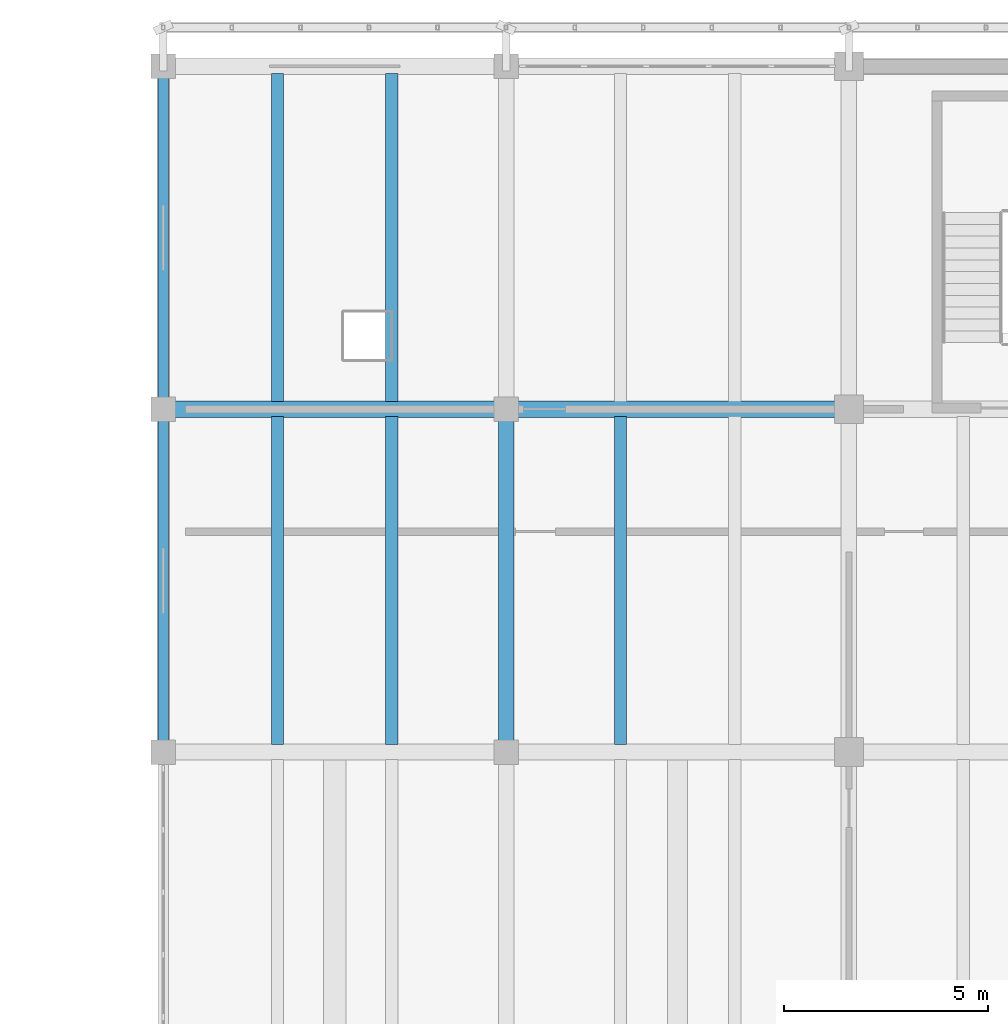
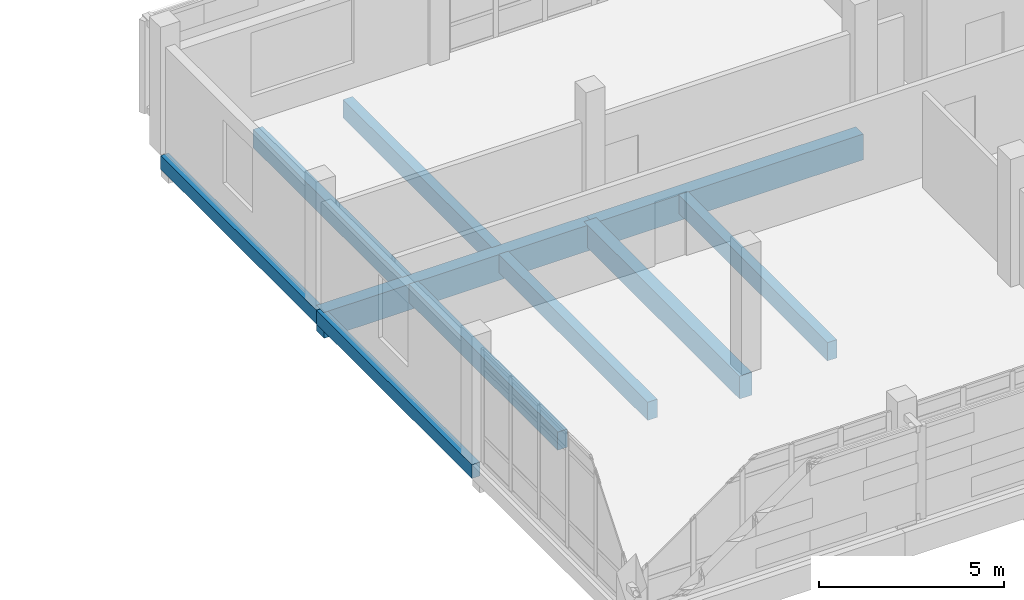
# One storey, part 48 of 137: 10 beams.
"""IFC4 building model written with IfcOpenShell, lengths in metres."""

from ifc_helpers import new_model, si_unit, direction, frame, origin, origin_2d, place, context, subcontext, project, spatial, rectangle, extrude, material, material_profile, profile_set, type_object, element, save


model = new_model("IFC4")

# Units and contexts
model_context = context("Model", 3, precision=1e-05, world=origin(), true_north=direction((0.0, 1.0)))
body_context = subcontext(model_context, "Body", "Model", "MODEL_VIEW")
ifc_project = project(units=[si_unit("LENGTHUNIT", "METRE"), si_unit("AREAUNIT", "SQUARE_METRE"), si_unit("VOLUMEUNIT", "CUBIC_METRE"), si_unit("PLANEANGLEUNIT", "RADIAN"), si_unit("MASSUNIT", "GRAM", prefix="KILO")], contexts=[model_context])

# Site, building, storey
site_placement = place(None, origin())
site = spatial("IfcSite", under=ifc_project, at=site_placement, CompositionType="ELEMENT")
building_placement = place(site_placement, origin())
building = spatial("IfcBuilding", under=site, at=building_placement, Name="Cinderway Yard Community Centre", CompositionType="ELEMENT")
storey_placement = place(building_placement, frame((0.0, 0.0, 4.800048828125)))
storey = spatial("IfcBuildingStorey", under=building, at=storey_placement, Name="L01", CompositionType="ELEMENT", Elevation=4.800048828125)

# Beams
ifc_material_1 = material(Name="Concrete C40/50", Category="concrete")
ifc_material_profile_1 = material_profile(ifc_material_1, rectangle(XDim=0.25, YDim=0.449951171875, at=origin_2d()), Name="Concrete C40/50")
ifc_profile_set_1 = profile_set([ifc_material_profile_1], Name="Concrete C40/50")
beam_type_1 = type_object("IfcBeamType", Name="STR-BM-RC250X450", PredefinedType="SPANDREL", material=ifc_profile_set_1)
beam_1_placement = place(storey_placement, frame((41.60009765625, 98.39990234375, -0.485107421875), z_axis=(0.0, 1.0, 0.0), x_axis=(-1.0, 0.0, 0.0)))
element("IfcBeam", 1, at=beam_1_placement, inside=storey, type_object=beam_type_1, Name="Transverse girder STR-BM-L01-SP02-0221", PredefinedType="SPANDREL", context=body_context, shape_type="SweptSolid", body=[
    extrude(rectangle(XDim=0.25, YDim=0.449951171875, at=origin_2d()), origin(), (0.0, 0.0, 1.0), 8.400146484375),
])
beam_2_placement = place(storey_placement, frame((41.60009765625, 106.800048828125, -0.485107421875), z_axis=(0.0, 1.0, 0.0), x_axis=(-1.0, 0.0, 0.0)))
element("IfcBeam", 2, at=beam_2_placement, inside=storey, type_object=beam_type_1, Name="Transverse girder STR-BM-L01-SP02-0222", PredefinedType="SPANDREL", context=body_context, shape_type="SweptSolid", body=[
    extrude(rectangle(XDim=0.25, YDim=0.449951171875, at=origin_2d()), origin(), (0.0, 0.0, 1.0), 8.39990234375),
])
ifc_material_2 = material(Name="Concrete C35/45", Category="concrete")
ifc_material_profile_2 = material_profile(ifc_material_2, rectangle(XDim=0.300048828125, YDim=0.60009765625, at=origin_2d()), Name="Concrete C35/45")
ifc_profile_set_2 = profile_set([ifc_material_profile_2], Name="Concrete C35/45")
beam_type_2 = type_object("IfcBeamType", Name="STR-BM-RC300X600", PredefinedType="JOIST", material=ifc_profile_set_2)
for number, where, z_axis, x_axis, name in (
    (3, (44.39990234375, 98.58203125, -0.56005859375), (0.0, 1.0, 0.0), (-1.0, 0.0, 0.0), "Secondary joist STR-BM-L01-BJ02-0261"),
    (4, (47.199951171875, 98.58203125, -0.56005859375), (0.0, 1.0, 0.0), (-1.0, 0.0, 0.0), "Secondary joist STR-BM-L01-BJ02-0262"),
):
    element("IfcBeam", number, at=place(storey_placement, frame(where, z_axis=z_axis, x_axis=x_axis)), inside=storey, type_object=beam_type_2, Name=name, PredefinedType="JOIST", context=body_context, shape_type="SweptSolid", body=[
        extrude(rectangle(XDim=0.300048828125, YDim=0.60009765625, at=origin_2d()), origin(), (0.0, 0.0, 1.0), 8.035888671875),
    ])
for number, where, z_axis, x_axis, name in (
    (5, (44.39990234375, 106.98193359375, -0.56005859375), (0.0, 1.0, 0.0), (-1.0, 0.0, 0.0), "Secondary joist STR-BM-L01-BJ02-0263"),
    (6, (47.199951171875, 106.98193359375, -0.56005859375), (0.0, 1.0, 0.0), (-1.0, 0.0, 0.0), "Secondary joist STR-BM-L01-BJ02-0264"),
):
    element("IfcBeam", number, at=place(storey_placement, frame(where, z_axis=z_axis, x_axis=x_axis)), inside=storey, type_object=beam_type_2, Name=name, PredefinedType="JOIST", context=body_context, shape_type="SweptSolid", body=[
        extrude(rectangle(XDim=0.300048828125, YDim=0.60009765625, at=origin_2d()), origin(), (0.0, 0.0, 1.0), 8.0361328125),
    ])
beam_3_placement = place(storey_placement, frame((52.800048828125, 98.58203125, -0.56005859375), z_axis=(0.0, 1.0, 0.0), x_axis=(-1.0, 0.0, 0.0)))
element("IfcBeam", 7, at=beam_3_placement, inside=storey, type_object=beam_type_2, Name="Secondary joist STR-BM-L01-BJ02-0267", PredefinedType="JOIST", context=body_context, shape_type="SweptSolid", body=[
    extrude(rectangle(XDim=0.300048828125, YDim=0.60009765625, at=origin_2d()), origin(), (0.0, 0.0, 1.0), 8.035888671875),
])
ifc_material_profile_3 = material_profile(ifc_material_2, rectangle(XDim=0.3798828125, YDim=0.75, at=origin_2d()), Name="Concrete C35/45")
ifc_profile_set_3 = profile_set([ifc_material_profile_3], Name="Concrete C35/45")
beam_type_3 = type_object("IfcBeamType", Name="STR-BM-RC380X750", PredefinedType="BEAM", material=ifc_profile_set_3)
beam_4_placement = place(storey_placement, frame((50.0, 98.39990234375, -0.635009765625), z_axis=(0.0, 1.0, 0.0), x_axis=(-1.0, 0.0, 0.0)))
element("IfcBeam", 8, at=beam_4_placement, inside=storey, type_object=beam_type_3, Name="Transverse girder STR-BM-L01-BG06-0224", PredefinedType="BEAM", context=body_context, shape_type="SweptSolid", body=[
    extrude(rectangle(XDim=0.3798828125, YDim=0.75, at=origin_2d()), origin(), (0.0, 0.0, 1.0), 8.400146484375),
])
ifc_material_profile_4 = material_profile(ifc_material_1, rectangle(XDim=0.39990234375, YDim=0.85009765625, at=origin_2d()), Name="Concrete C40/50")
ifc_profile_set_4 = profile_set([ifc_material_profile_4], Name="Concrete C40/50")
beam_type_4 = type_object("IfcBeamType", Name="STR-BM-RC400X850", PredefinedType="BEAM", material=ifc_profile_set_4)
for number, where, z_axis, x_axis, name in (
    (9, (41.60009765625, 106.800048828125, -0.68505859375), (1.0, 0.0, 0.0), (0.0, 1.0, 0.0), "Primary girder STR-BM-L01-BG04-0196"),
    (10, (50.0, 106.800048828125, -0.68505859375), (1.0, 0.0, 0.0), (0.0, 1.0, 0.0), "Primary girder STR-BM-L01-BG04-0197"),
):
    element("IfcBeam", number, at=place(storey_placement, frame(where, z_axis=z_axis, x_axis=x_axis)), inside=storey, type_object=beam_type_4, Name=name, PredefinedType="BEAM", context=body_context, shape_type="SweptSolid", body=[
        extrude(rectangle(XDim=0.39990234375, YDim=0.85009765625, at=origin_2d()), origin(), (0.0, 0.0, 1.0), 8.39990234375),
    ])

save(model, "model.ifc")
